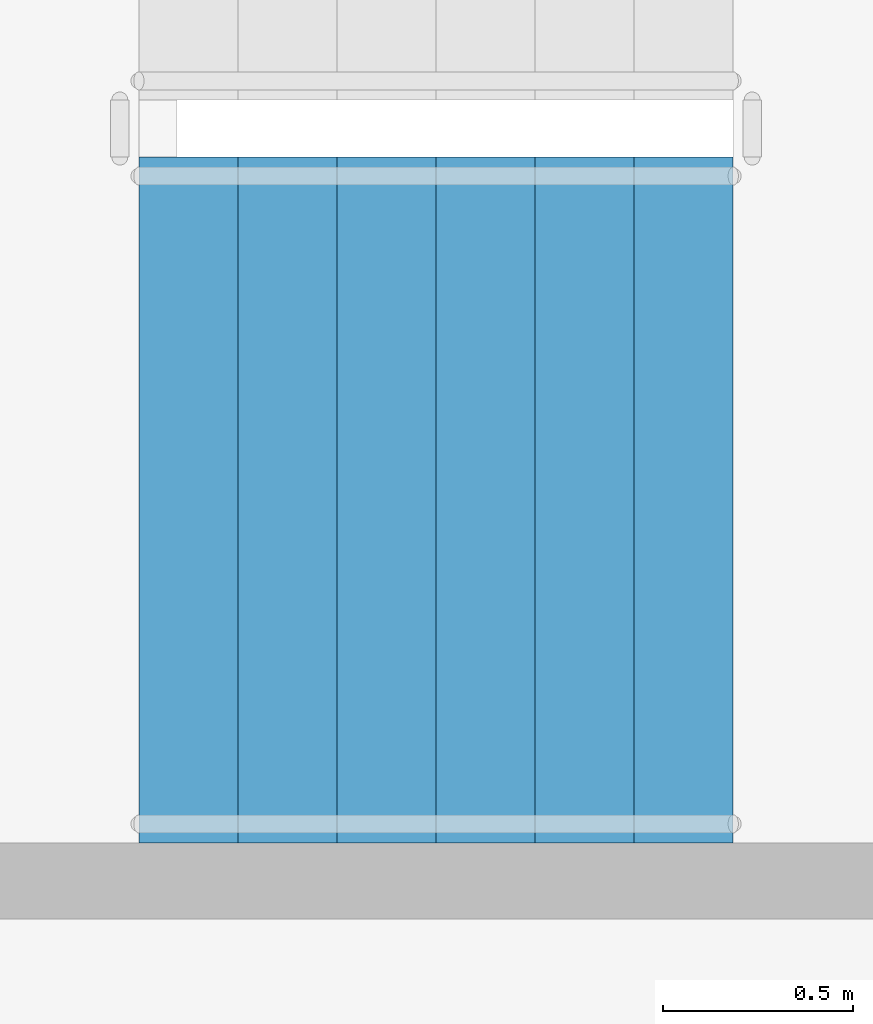
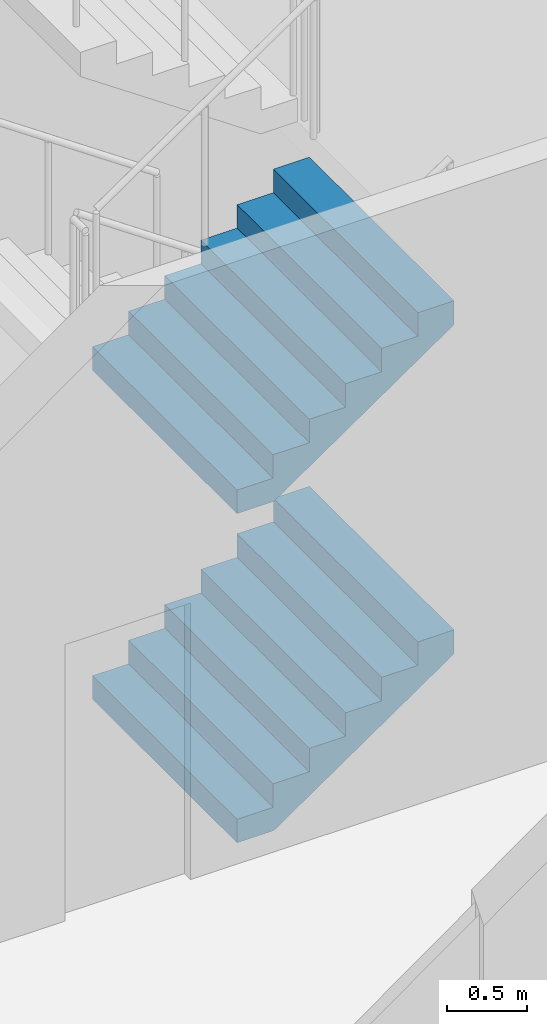
# One storey, part 28 of 59: 2 stair flights, 1 element without a shape of its own.
"""IFC4 building model written with IfcOpenShell, lengths in metres."""

from ifc_helpers import new_model, si_unit, direction, frame, origin, place, context, subcontext, project, spatial, faceted_brep, material, type_object, element, aggregate, save


model = new_model("IFC4")

# Units and contexts
model_context = context("Model", 3, precision=1e-05, world=origin(), true_north=direction((0.0, 1.0)))
body_context = subcontext(model_context, "Body", "Model", "MODEL_VIEW")
ifc_project = project(units=[si_unit("LENGTHUNIT", "METRE"), si_unit("AREAUNIT", "SQUARE_METRE"), si_unit("VOLUMEUNIT", "CUBIC_METRE"), si_unit("PLANEANGLEUNIT", "RADIAN"), si_unit("MASSUNIT", "GRAM", prefix="KILO")], contexts=[model_context])

# Site, building, storey
site_placement = place(None, origin())
site = spatial("IfcSite", under=ifc_project, at=site_placement, CompositionType="ELEMENT")
building_placement = place(site_placement, origin())
building = spatial("IfcBuilding", under=site, at=building_placement, Name="Ipe Terrace Towers", CompositionType="ELEMENT")
storey_placement = place(building_placement, frame((0.0, 0.0, 6.0)))
storey = spatial("IfcBuildingStorey", under=building, at=storey_placement, Name="L01", CompositionType="ELEMENT", Elevation=6.0)

# Stair, stair flights
ifc_material_1 = material(Name="Concrete C30/37", Category="concrete")
stair_type = type_object("IfcStairType", Name="Protected exit stair", PredefinedType="HALF_TURN_STAIR", material=ifc_material_1)
stair_placement = place(storey_placement, origin())
stair = element("IfcStair", 1, at=stair_placement, inside=storey, type_object=stair_type, Name="L01 Podium exit stair PS7", PredefinedType="HALF_TURN_STAIR")
ifc_material_2 = material(Name="Concrete C30/37", Category="concrete")
stair_flight_type = type_object("IfcStairFlightType", Name="Exit stair flight 1800", PredefinedType="STRAIGHT", material=ifc_material_2)
stair_flight_1_placement = place(storey_placement, frame((-66.18994140625, 2.5, 0.0), z_axis=(0.0, 0.0, 1.0), x_axis=(1.0, 0.0, 0.0)))
stair_flight_1 = element("IfcStairFlight", 2, at=stair_flight_1_placement, type_object=stair_flight_type, Name="PS7 flight 1", NumberOfRisers=7, NumberOfTreads=6, PredefinedType="STRAIGHT", RiserHeight=0.178571429, TreadLength=0.26, context=body_context, shape_type="Brep", body=[
    faceted_brep([(0.264892578125, -0.89990234375, 0.0), (1.56005859375, -0.89990234375, 0.8896484375), (1.56005859375, -0.89990234375, 1.071533203125), (1.300048828125, -0.89990234375, 1.071533203125), (1.300048828125, -0.89990234375, 0.892822265625), (1.0400390625, -0.89990234375, 0.892822265625), (1.0400390625, -0.89990234375, 0.71435546875), (0.780029296875, -0.89990234375, 0.71435546875), (0.780029296875, -0.89990234375, 0.53564453125), (0.52001953125, -0.89990234375, 0.53564453125), (0.52001953125, -0.89990234375, 0.357177734375), (0.260009765625, -0.89990234375, 0.357177734375), (0.260009765625, -0.89990234375, 0.178466796875), (0.0, -0.89990234375, 0.178466796875), (0.0, -0.89990234375, 0.0), (0.0, 0.89990234375, 0.0), (0.0, 0.89990234375, 0.178466796875), (0.260009765625, 0.89990234375, 0.178466796875), (0.260009765625, 0.89990234375, 0.357177734375), (0.52001953125, 0.89990234375, 0.357177734375), (0.52001953125, 0.89990234375, 0.53564453125), (0.780029296875, 0.89990234375, 0.53564453125), (0.780029296875, 0.89990234375, 0.71435546875), (1.0400390625, 0.89990234375, 0.71435546875), (1.0400390625, 0.89990234375, 0.892822265625), (1.300048828125, 0.89990234375, 0.892822265625), (1.300048828125, 0.89990234375, 1.071533203125), (1.56005859375, 0.89990234375, 1.071533203125), (1.56005859375, 0.89990234375, 0.8896484375), (0.264892578125, 0.89990234375, 0.0), (0.0, -0.300048828125, 0.178466796875), (0.0, -0.1201171875, 0.178466796875), (0.0, -0.06005859375, 0.178466796875), (0.0, -0.030029296875, 0.178466796875), (0.0, -0.010009765625, 0.178466796875), (0.0, 0.0, 0.178466796875), (0.0, 0.010009765625, 0.178466796875), (0.0, 0.030029296875, 0.178466796875), (0.0, 0.06005859375, 0.178466796875), (0.0, 0.1201171875, 0.178466796875), (0.0, 0.300048828125, 0.178466796875), (0.0, 0.300048828125, 0.0), (0.0, 0.1201171875, 0.0), (0.0, 0.06005859375, 0.0), (0.0, 0.030029296875, 0.0), (0.0, 0.010009765625, 0.0), (0.0, 0.0, 0.0), (0.0, -0.010009765625, 0.0), (0.0, -0.030029296875, 0.0), (0.0, -0.06005859375, 0.0), (0.0, -0.1201171875, 0.0), (0.0, -0.300048828125, 0.0), (0.260009765625, -0.300048828125, 0.178466796875), (0.260009765625, -0.1201171875, 0.178466796875), (0.260009765625, -0.06005859375, 0.178466796875), (0.260009765625, -0.030029296875, 0.178466796875), (0.260009765625, -0.010009765625, 0.178466796875), (0.260009765625, 0.0, 0.178466796875), (0.260009765625, 0.010009765625, 0.178466796875), (0.260009765625, 0.030029296875, 0.178466796875), (0.260009765625, 0.06005859375, 0.178466796875), (0.260009765625, 0.1201171875, 0.178466796875), (0.260009765625, 0.300048828125, 0.178466796875), (0.260009765625, -0.300048828125, 0.357177734375), (0.260009765625, -0.1201171875, 0.357177734375), (0.260009765625, -0.06005859375, 0.357177734375), (0.260009765625, -0.030029296875, 0.357177734375), (0.260009765625, -0.010009765625, 0.357177734375), (0.260009765625, 0.0, 0.357177734375), (0.260009765625, 0.010009765625, 0.357177734375), (0.260009765625, 0.030029296875, 0.357177734375), (0.260009765625, 0.06005859375, 0.357177734375), (0.260009765625, 0.1201171875, 0.357177734375), (0.260009765625, 0.300048828125, 0.357177734375), (0.52001953125, -0.300048828125, 0.357177734375), (0.52001953125, -0.1201171875, 0.357177734375), (0.52001953125, -0.06005859375, 0.357177734375), (0.52001953125, -0.030029296875, 0.357177734375), (0.52001953125, -0.010009765625, 0.357177734375), (0.52001953125, 0.0, 0.357177734375), (0.52001953125, 0.010009765625, 0.357177734375), (0.52001953125, 0.030029296875, 0.357177734375), (0.52001953125, 0.06005859375, 0.357177734375), (0.52001953125, 0.1201171875, 0.357177734375), (0.52001953125, 0.300048828125, 0.357177734375), (0.52001953125, -0.300048828125, 0.53564453125), (0.52001953125, -0.1201171875, 0.53564453125), (0.52001953125, -0.06005859375, 0.53564453125), (0.52001953125, -0.030029296875, 0.53564453125), (0.52001953125, -0.010009765625, 0.53564453125), (0.52001953125, 0.0, 0.53564453125), (0.52001953125, 0.010009765625, 0.53564453125), (0.52001953125, 0.030029296875, 0.53564453125), (0.52001953125, 0.06005859375, 0.53564453125), (0.52001953125, 0.1201171875, 0.53564453125), (0.52001953125, 0.300048828125, 0.53564453125), (0.780029296875, -0.300048828125, 0.53564453125), (0.780029296875, -0.1201171875, 0.53564453125), (0.780029296875, -0.06005859375, 0.53564453125), (0.780029296875, -0.030029296875, 0.53564453125), (0.780029296875, -0.010009765625, 0.53564453125), (0.780029296875, 0.0, 0.53564453125), (0.780029296875, 0.010009765625, 0.53564453125), (0.780029296875, 0.030029296875, 0.53564453125), (0.780029296875, 0.06005859375, 0.53564453125), (0.780029296875, 0.1201171875, 0.53564453125), (0.780029296875, 0.300048828125, 0.53564453125), (0.780029296875, -0.300048828125, 0.71435546875), (0.780029296875, -0.1201171875, 0.71435546875), (0.780029296875, -0.06005859375, 0.71435546875), (0.780029296875, -0.030029296875, 0.71435546875), (0.780029296875, -0.010009765625, 0.71435546875), (0.780029296875, 0.0, 0.71435546875), (0.780029296875, 0.010009765625, 0.71435546875), (0.780029296875, 0.030029296875, 0.71435546875), (0.780029296875, 0.06005859375, 0.71435546875), (0.780029296875, 0.1201171875, 0.71435546875), (0.780029296875, 0.300048828125, 0.71435546875), (1.0400390625, -0.300048828125, 0.71435546875), (1.0400390625, -0.1201171875, 0.71435546875), (1.0400390625, -0.06005859375, 0.71435546875), (1.0400390625, -0.030029296875, 0.71435546875), (1.0400390625, -0.010009765625, 0.71435546875), (1.0400390625, 0.0, 0.71435546875), (1.0400390625, 0.010009765625, 0.71435546875), (1.0400390625, 0.030029296875, 0.71435546875), (1.0400390625, 0.06005859375, 0.71435546875), (1.0400390625, 0.1201171875, 0.71435546875), (1.0400390625, 0.300048828125, 0.71435546875), (1.0400390625, -0.300048828125, 0.892822265625), (1.0400390625, -0.1201171875, 0.892822265625), (1.0400390625, -0.06005859375, 0.892822265625), (1.0400390625, -0.030029296875, 0.892822265625), (1.0400390625, -0.010009765625, 0.892822265625), (1.0400390625, 0.0, 0.892822265625), (1.0400390625, 0.010009765625, 0.892822265625), (1.0400390625, 0.030029296875, 0.892822265625), (1.0400390625, 0.06005859375, 0.892822265625), (1.0400390625, 0.1201171875, 0.892822265625), (1.0400390625, 0.300048828125, 0.892822265625), (1.300048828125, -0.300048828125, 0.892822265625), (1.300048828125, -0.1201171875, 0.892822265625), (1.300048828125, -0.06005859375, 0.892822265625), (1.300048828125, -0.030029296875, 0.892822265625), (1.300048828125, -0.010009765625, 0.892822265625), (1.300048828125, 0.0, 0.892822265625), (1.300048828125, 0.010009765625, 0.892822265625), (1.300048828125, 0.030029296875, 0.892822265625), (1.300048828125, 0.06005859375, 0.892822265625), (1.300048828125, 0.1201171875, 0.892822265625), (1.300048828125, 0.300048828125, 0.892822265625), (1.300048828125, -0.300048828125, 1.071533203125), (1.300048828125, -0.1201171875, 1.071533203125), (1.300048828125, -0.06005859375, 1.071533203125), (1.300048828125, -0.030029296875, 1.071533203125), (1.300048828125, -0.010009765625, 1.071533203125), (1.300048828125, 0.0, 1.071533203125), (1.300048828125, 0.010009765625, 1.071533203125), (1.300048828125, 0.030029296875, 1.071533203125), (1.300048828125, 0.06005859375, 1.071533203125), (1.300048828125, 0.1201171875, 1.071533203125), (1.300048828125, 0.300048828125, 1.071533203125), (1.56005859375, -0.300048828125, 1.071533203125), (1.56005859375, -0.1201171875, 1.071533203125), (1.56005859375, -0.06005859375, 1.071533203125), (1.56005859375, -0.030029296875, 1.071533203125), (1.56005859375, -0.010009765625, 1.071533203125), (1.56005859375, 0.0, 1.071533203125), (1.56005859375, 0.010009765625, 1.071533203125), (1.56005859375, 0.030029296875, 1.071533203125), (1.56005859375, 0.06005859375, 1.071533203125), (1.56005859375, 0.1201171875, 1.071533203125), (1.56005859375, 0.300048828125, 1.071533203125), (1.56005859375, -0.300048828125, 0.8896484375), (1.56005859375, -0.1201171875, 0.8896484375), (1.56005859375, -0.06005859375, 0.8896484375), (1.56005859375, -0.030029296875, 0.8896484375), (1.56005859375, -0.010009765625, 0.8896484375), (1.56005859375, 0.0, 0.8896484375), (1.56005859375, 0.010009765625, 0.8896484375), (1.56005859375, 0.030029296875, 0.8896484375), (1.56005859375, 0.06005859375, 0.8896484375), (1.56005859375, 0.1201171875, 0.8896484375), (1.56005859375, 0.300048828125, 0.8896484375), (0.264892578125, -0.300048828125, 0.0), (0.264892578125, -0.1201171875, 0.0), (0.264892578125, -0.06005859375, 0.0), (0.264892578125, -0.030029296875, 0.0), (0.264892578125, -0.010009765625, 0.0), (0.264892578125, 0.0, 0.0), (0.264892578125, 0.010009765625, 0.0), (0.264892578125, 0.030029296875, 0.0), (0.264892578125, 0.06005859375, 0.0), (0.264892578125, 0.1201171875, 0.0), (0.264892578125, 0.300048828125, 0.0)], [[[0, 1, 2, 3, 4, 5, 6, 7, 8, 9, 10, 11, 12, 13, 14]], [[15, 16, 17, 18, 19, 20, 21, 22, 23, 24, 25, 26, 27, 28, 29]], [[13, 30, 31, 32, 33, 34, 35, 36, 37, 38, 39, 40, 16, 15, 41, 42, 43, 44, 45, 46, 47, 48, 49, 50, 51, 14]], [[12, 52, 53, 54, 55, 56, 57, 58, 59, 60, 61, 62, 17, 16, 40, 39, 38, 37, 36, 35, 34, 33, 32, 31, 30, 13]], [[11, 63, 64, 65, 66, 67, 68, 69, 70, 71, 72, 73, 18, 17, 62, 61, 60, 59, 58, 57, 56, 55, 54, 53, 52, 12]], [[10, 74, 75, 76, 77, 78, 79, 80, 81, 82, 83, 84, 19, 18, 73, 72, 71, 70, 69, 68, 67, 66, 65, 64, 63, 11]], [[9, 85, 86, 87, 88, 89, 90, 91, 92, 93, 94, 95, 20, 19, 84, 83, 82, 81, 80, 79, 78, 77, 76, 75, 74, 10]], [[8, 96, 97, 98, 99, 100, 101, 102, 103, 104, 105, 106, 21, 20, 95, 94, 93, 92, 91, 90, 89, 88, 87, 86, 85, 9]], [[7, 107, 108, 109, 110, 111, 112, 113, 114, 115, 116, 117, 22, 21, 106, 105, 104, 103, 102, 101, 100, 99, 98, 97, 96, 8]], [[6, 118, 119, 120, 121, 122, 123, 124, 125, 126, 127, 128, 23, 22, 117, 116, 115, 114, 113, 112, 111, 110, 109, 108, 107, 7]], [[5, 129, 130, 131, 132, 133, 134, 135, 136, 137, 138, 139, 24, 23, 128, 127, 126, 125, 124, 123, 122, 121, 120, 119, 118, 6]], [[4, 140, 141, 142, 143, 144, 145, 146, 147, 148, 149, 150, 25, 24, 139, 138, 137, 136, 135, 134, 133, 132, 131, 130, 129, 5]], [[3, 151, 152, 153, 154, 155, 156, 157, 158, 159, 160, 161, 26, 25, 150, 149, 148, 147, 146, 145, 144, 143, 142, 141, 140, 4]], [[2, 162, 163, 164, 165, 166, 167, 168, 169, 170, 171, 172, 27, 26, 161, 160, 159, 158, 157, 156, 155, 154, 153, 152, 151, 3]], [[1, 173, 174, 175, 176, 177, 178, 179, 180, 181, 182, 183, 28, 27, 172, 171, 170, 169, 168, 167, 166, 165, 164, 163, 162, 2]], [[0, 184, 185, 186, 187, 188, 189, 190, 191, 192, 193, 194, 29, 28, 183, 182, 181, 180, 179, 178, 177, 176, 175, 174, 173, 1]], [[14, 51, 50, 49, 48, 47, 46, 45, 44, 43, 42, 41, 15, 29, 194, 193, 192, 191, 190, 189, 188, 187, 186, 185, 184, 0]]]),
])
stair_flight_2_placement = place(storey_placement, frame((-66.18994140625, 2.5, 2.5), z_axis=(0.0, 0.0, 1.0), x_axis=(1.0, 0.0, 0.0)))
stair_flight_2 = element("IfcStairFlight", 3, at=stair_flight_2_placement, type_object=stair_flight_type, Name="PS7 flight 3", NumberOfRisers=7, NumberOfTreads=6, PredefinedType="STRAIGHT", RiserHeight=0.178571429, TreadLength=0.26, context=body_context, shape_type="Brep", body=[
    faceted_brep([(0.264892578125, -0.89990234375, 0.0), (1.56005859375, -0.89990234375, 0.8896484375), (1.56005859375, -0.89990234375, 1.071533203125), (1.300048828125, -0.89990234375, 1.071533203125), (1.300048828125, -0.89990234375, 0.892822265625), (1.0400390625, -0.89990234375, 0.892822265625), (1.0400390625, -0.89990234375, 0.71435546875), (0.780029296875, -0.89990234375, 0.71435546875), (0.780029296875, -0.89990234375, 0.53564453125), (0.52001953125, -0.89990234375, 0.53564453125), (0.52001953125, -0.89990234375, 0.357177734375), (0.260009765625, -0.89990234375, 0.357177734375), (0.260009765625, -0.89990234375, 0.178466796875), (0.0, -0.89990234375, 0.178466796875), (0.0, -0.89990234375, 0.0), (0.0, 0.89990234375, 0.0), (0.0, 0.89990234375, 0.178466796875), (0.260009765625, 0.89990234375, 0.178466796875), (0.260009765625, 0.89990234375, 0.357177734375), (0.52001953125, 0.89990234375, 0.357177734375), (0.52001953125, 0.89990234375, 0.53564453125), (0.780029296875, 0.89990234375, 0.53564453125), (0.780029296875, 0.89990234375, 0.71435546875), (1.0400390625, 0.89990234375, 0.71435546875), (1.0400390625, 0.89990234375, 0.892822265625), (1.300048828125, 0.89990234375, 0.892822265625), (1.300048828125, 0.89990234375, 1.071533203125), (1.56005859375, 0.89990234375, 1.071533203125), (1.56005859375, 0.89990234375, 0.8896484375), (0.264892578125, 0.89990234375, 0.0), (0.0, -0.300048828125, 0.178466796875), (0.0, -0.1201171875, 0.178466796875), (0.0, -0.06005859375, 0.178466796875), (0.0, -0.030029296875, 0.178466796875), (0.0, -0.010009765625, 0.178466796875), (0.0, 0.0, 0.178466796875), (0.0, 0.010009765625, 0.178466796875), (0.0, 0.030029296875, 0.178466796875), (0.0, 0.06005859375, 0.178466796875), (0.0, 0.1201171875, 0.178466796875), (0.0, 0.300048828125, 0.178466796875), (0.0, 0.300048828125, 0.0), (0.0, 0.1201171875, 0.0), (0.0, 0.06005859375, 0.0), (0.0, 0.030029296875, 0.0), (0.0, 0.010009765625, 0.0), (0.0, 0.0, 0.0), (0.0, -0.010009765625, 0.0), (0.0, -0.030029296875, 0.0), (0.0, -0.06005859375, 0.0), (0.0, -0.1201171875, 0.0), (0.0, -0.300048828125, 0.0), (0.260009765625, -0.300048828125, 0.178466796875), (0.260009765625, -0.1201171875, 0.178466796875), (0.260009765625, -0.06005859375, 0.178466796875), (0.260009765625, -0.030029296875, 0.178466796875), (0.260009765625, -0.010009765625, 0.178466796875), (0.260009765625, 0.0, 0.178466796875), (0.260009765625, 0.010009765625, 0.178466796875), (0.260009765625, 0.030029296875, 0.178466796875), (0.260009765625, 0.06005859375, 0.178466796875), (0.260009765625, 0.1201171875, 0.178466796875), (0.260009765625, 0.300048828125, 0.178466796875), (0.260009765625, -0.300048828125, 0.357177734375), (0.260009765625, -0.1201171875, 0.357177734375), (0.260009765625, -0.06005859375, 0.357177734375), (0.260009765625, -0.030029296875, 0.357177734375), (0.260009765625, -0.010009765625, 0.357177734375), (0.260009765625, 0.0, 0.357177734375), (0.260009765625, 0.010009765625, 0.357177734375), (0.260009765625, 0.030029296875, 0.357177734375), (0.260009765625, 0.06005859375, 0.357177734375), (0.260009765625, 0.1201171875, 0.357177734375), (0.260009765625, 0.300048828125, 0.357177734375), (0.52001953125, -0.300048828125, 0.357177734375), (0.52001953125, -0.1201171875, 0.357177734375), (0.52001953125, -0.06005859375, 0.357177734375), (0.52001953125, -0.030029296875, 0.357177734375), (0.52001953125, -0.010009765625, 0.357177734375), (0.52001953125, 0.0, 0.357177734375), (0.52001953125, 0.010009765625, 0.357177734375), (0.52001953125, 0.030029296875, 0.357177734375), (0.52001953125, 0.06005859375, 0.357177734375), (0.52001953125, 0.1201171875, 0.357177734375), (0.52001953125, 0.300048828125, 0.357177734375), (0.52001953125, -0.300048828125, 0.53564453125), (0.52001953125, -0.1201171875, 0.53564453125), (0.52001953125, -0.06005859375, 0.53564453125), (0.52001953125, -0.030029296875, 0.53564453125), (0.52001953125, -0.010009765625, 0.53564453125), (0.52001953125, 0.0, 0.53564453125), (0.52001953125, 0.010009765625, 0.53564453125), (0.52001953125, 0.030029296875, 0.53564453125), (0.52001953125, 0.06005859375, 0.53564453125), (0.52001953125, 0.1201171875, 0.53564453125), (0.52001953125, 0.300048828125, 0.53564453125), (0.780029296875, -0.300048828125, 0.53564453125), (0.780029296875, -0.1201171875, 0.53564453125), (0.780029296875, -0.06005859375, 0.53564453125), (0.780029296875, -0.030029296875, 0.53564453125), (0.780029296875, -0.010009765625, 0.53564453125), (0.780029296875, 0.0, 0.53564453125), (0.780029296875, 0.010009765625, 0.53564453125), (0.780029296875, 0.030029296875, 0.53564453125), (0.780029296875, 0.06005859375, 0.53564453125), (0.780029296875, 0.1201171875, 0.53564453125), (0.780029296875, 0.300048828125, 0.53564453125), (0.780029296875, -0.300048828125, 0.71435546875), (0.780029296875, -0.1201171875, 0.71435546875), (0.780029296875, -0.06005859375, 0.71435546875), (0.780029296875, -0.030029296875, 0.71435546875), (0.780029296875, -0.010009765625, 0.71435546875), (0.780029296875, 0.0, 0.71435546875), (0.780029296875, 0.010009765625, 0.71435546875), (0.780029296875, 0.030029296875, 0.71435546875), (0.780029296875, 0.06005859375, 0.71435546875), (0.780029296875, 0.1201171875, 0.71435546875), (0.780029296875, 0.300048828125, 0.71435546875), (1.0400390625, -0.300048828125, 0.71435546875), (1.0400390625, -0.1201171875, 0.71435546875), (1.0400390625, -0.06005859375, 0.71435546875), (1.0400390625, -0.030029296875, 0.71435546875), (1.0400390625, -0.010009765625, 0.71435546875), (1.0400390625, 0.0, 0.71435546875), (1.0400390625, 0.010009765625, 0.71435546875), (1.0400390625, 0.030029296875, 0.71435546875), (1.0400390625, 0.06005859375, 0.71435546875), (1.0400390625, 0.1201171875, 0.71435546875), (1.0400390625, 0.300048828125, 0.71435546875), (1.0400390625, -0.300048828125, 0.892822265625), (1.0400390625, -0.1201171875, 0.892822265625), (1.0400390625, -0.06005859375, 0.892822265625), (1.0400390625, -0.030029296875, 0.892822265625), (1.0400390625, -0.010009765625, 0.892822265625), (1.0400390625, 0.0, 0.892822265625), (1.0400390625, 0.010009765625, 0.892822265625), (1.0400390625, 0.030029296875, 0.892822265625), (1.0400390625, 0.06005859375, 0.892822265625), (1.0400390625, 0.1201171875, 0.892822265625), (1.0400390625, 0.300048828125, 0.892822265625), (1.300048828125, -0.300048828125, 0.892822265625), (1.300048828125, -0.1201171875, 0.892822265625), (1.300048828125, -0.06005859375, 0.892822265625), (1.300048828125, -0.030029296875, 0.892822265625), (1.300048828125, -0.010009765625, 0.892822265625), (1.300048828125, 0.0, 0.892822265625), (1.300048828125, 0.010009765625, 0.892822265625), (1.300048828125, 0.030029296875, 0.892822265625), (1.300048828125, 0.06005859375, 0.892822265625), (1.300048828125, 0.1201171875, 0.892822265625), (1.300048828125, 0.300048828125, 0.892822265625), (1.300048828125, -0.300048828125, 1.071533203125), (1.300048828125, -0.1201171875, 1.071533203125), (1.300048828125, -0.06005859375, 1.071533203125), (1.300048828125, -0.030029296875, 1.071533203125), (1.300048828125, -0.010009765625, 1.071533203125), (1.300048828125, 0.0, 1.071533203125), (1.300048828125, 0.010009765625, 1.071533203125), (1.300048828125, 0.030029296875, 1.071533203125), (1.300048828125, 0.06005859375, 1.071533203125), (1.300048828125, 0.1201171875, 1.071533203125), (1.300048828125, 0.300048828125, 1.071533203125), (1.56005859375, -0.300048828125, 1.071533203125), (1.56005859375, -0.1201171875, 1.071533203125), (1.56005859375, -0.06005859375, 1.071533203125), (1.56005859375, -0.030029296875, 1.071533203125), (1.56005859375, -0.010009765625, 1.071533203125), (1.56005859375, 0.0, 1.071533203125), (1.56005859375, 0.010009765625, 1.071533203125), (1.56005859375, 0.030029296875, 1.071533203125), (1.56005859375, 0.06005859375, 1.071533203125), (1.56005859375, 0.1201171875, 1.071533203125), (1.56005859375, 0.300048828125, 1.071533203125), (1.56005859375, -0.300048828125, 0.8896484375), (1.56005859375, -0.1201171875, 0.8896484375), (1.56005859375, -0.06005859375, 0.8896484375), (1.56005859375, -0.030029296875, 0.8896484375), (1.56005859375, -0.010009765625, 0.8896484375), (1.56005859375, 0.0, 0.8896484375), (1.56005859375, 0.010009765625, 0.8896484375), (1.56005859375, 0.030029296875, 0.8896484375), (1.56005859375, 0.06005859375, 0.8896484375), (1.56005859375, 0.1201171875, 0.8896484375), (1.56005859375, 0.300048828125, 0.8896484375), (0.264892578125, -0.300048828125, 0.0), (0.264892578125, -0.1201171875, 0.0), (0.264892578125, -0.06005859375, 0.0), (0.264892578125, -0.030029296875, 0.0), (0.264892578125, -0.010009765625, 0.0), (0.264892578125, 0.0, 0.0), (0.264892578125, 0.010009765625, 0.0), (0.264892578125, 0.030029296875, 0.0), (0.264892578125, 0.06005859375, 0.0), (0.264892578125, 0.1201171875, 0.0), (0.264892578125, 0.300048828125, 0.0)], [[[0, 1, 2, 3, 4, 5, 6, 7, 8, 9, 10, 11, 12, 13, 14]], [[15, 16, 17, 18, 19, 20, 21, 22, 23, 24, 25, 26, 27, 28, 29]], [[13, 30, 31, 32, 33, 34, 35, 36, 37, 38, 39, 40, 16, 15, 41, 42, 43, 44, 45, 46, 47, 48, 49, 50, 51, 14]], [[12, 52, 53, 54, 55, 56, 57, 58, 59, 60, 61, 62, 17, 16, 40, 39, 38, 37, 36, 35, 34, 33, 32, 31, 30, 13]], [[11, 63, 64, 65, 66, 67, 68, 69, 70, 71, 72, 73, 18, 17, 62, 61, 60, 59, 58, 57, 56, 55, 54, 53, 52, 12]], [[10, 74, 75, 76, 77, 78, 79, 80, 81, 82, 83, 84, 19, 18, 73, 72, 71, 70, 69, 68, 67, 66, 65, 64, 63, 11]], [[9, 85, 86, 87, 88, 89, 90, 91, 92, 93, 94, 95, 20, 19, 84, 83, 82, 81, 80, 79, 78, 77, 76, 75, 74, 10]], [[8, 96, 97, 98, 99, 100, 101, 102, 103, 104, 105, 106, 21, 20, 95, 94, 93, 92, 91, 90, 89, 88, 87, 86, 85, 9]], [[7, 107, 108, 109, 110, 111, 112, 113, 114, 115, 116, 117, 22, 21, 106, 105, 104, 103, 102, 101, 100, 99, 98, 97, 96, 8]], [[6, 118, 119, 120, 121, 122, 123, 124, 125, 126, 127, 128, 23, 22, 117, 116, 115, 114, 113, 112, 111, 110, 109, 108, 107, 7]], [[5, 129, 130, 131, 132, 133, 134, 135, 136, 137, 138, 139, 24, 23, 128, 127, 126, 125, 124, 123, 122, 121, 120, 119, 118, 6]], [[4, 140, 141, 142, 143, 144, 145, 146, 147, 148, 149, 150, 25, 24, 139, 138, 137, 136, 135, 134, 133, 132, 131, 130, 129, 5]], [[3, 151, 152, 153, 154, 155, 156, 157, 158, 159, 160, 161, 26, 25, 150, 149, 148, 147, 146, 145, 144, 143, 142, 141, 140, 4]], [[2, 162, 163, 164, 165, 166, 167, 168, 169, 170, 171, 172, 27, 26, 161, 160, 159, 158, 157, 156, 155, 154, 153, 152, 151, 3]], [[1, 173, 174, 175, 176, 177, 178, 179, 180, 181, 182, 183, 28, 27, 172, 171, 170, 169, 168, 167, 166, 165, 164, 163, 162, 2]], [[0, 184, 185, 186, 187, 188, 189, 190, 191, 192, 193, 194, 29, 28, 183, 182, 181, 180, 179, 178, 177, 176, 175, 174, 173, 1]], [[14, 51, 50, 49, 48, 47, 46, 45, 44, 43, 42, 41, 15, 29, 194, 193, 192, 191, 190, 189, 188, 187, 186, 185, 184, 0]]]),
])
aggregate(stair, [stair_flight_1, stair_flight_2])

save(model, "model.ifc")
